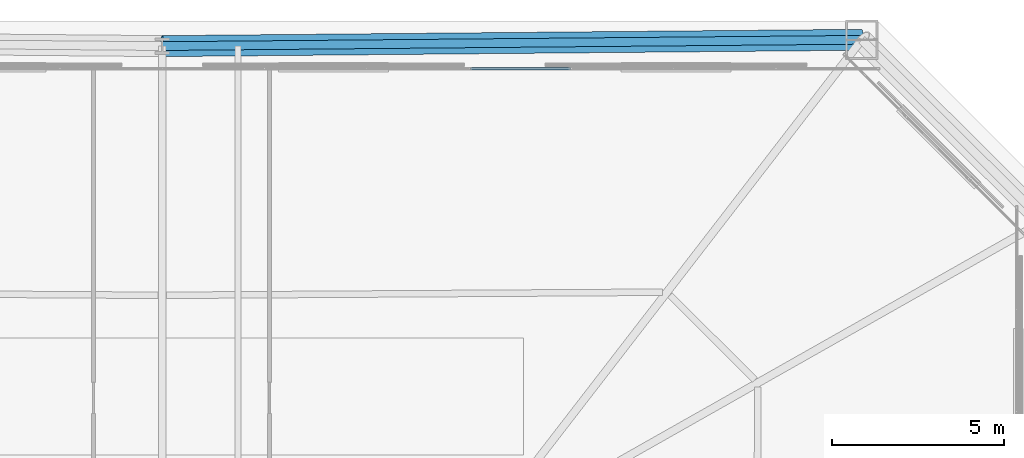
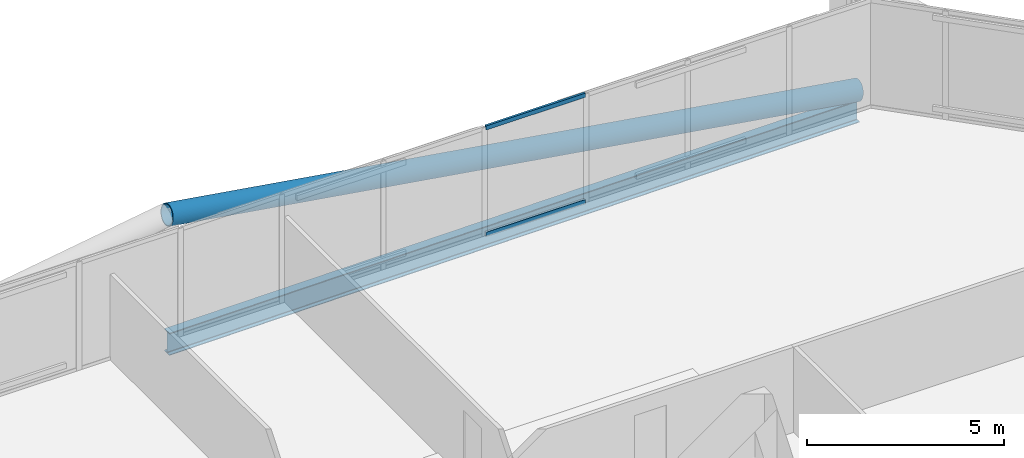
# One storey, part 39 of 50: 3 members, 1 beam, 1 element without a shape of its own.
"""IFC4 building model written with IfcOpenShell, lengths in metres."""

from ifc_helpers import new_model, si_unit, direction, frame, origin, origin_2d, place, context, subcontext, project, spatial, hollow_rectangle, hollow_circle, i_section, extrude, material, layer, layer_set, material_profile, profile_set, type_object, element, aggregate, save


model = new_model("IFC4")

# Units and contexts
model_context = context("Model", 3, precision=1e-05, world=origin(), true_north=direction((0.0, 1.0)))
body_context = subcontext(model_context, "Body", "Model", "MODEL_VIEW")
ifc_project = project(units=[si_unit("LENGTHUNIT", "METRE"), si_unit("AREAUNIT", "SQUARE_METRE"), si_unit("VOLUMEUNIT", "CUBIC_METRE"), si_unit("PLANEANGLEUNIT", "RADIAN"), si_unit("MASSUNIT", "GRAM", prefix="KILO")], contexts=[model_context])

# Site, building, storey
site_placement = place(None, origin())
site = spatial("IfcSite", under=ifc_project, at=site_placement, CompositionType="ELEMENT")
building_placement = place(site_placement, origin())
building = spatial("IfcBuilding", under=site, at=building_placement, Name="Caelvoria Tower", CompositionType="ELEMENT")
storey_placement = place(building_placement, frame((0.0, 0.0, 71.199951171875)))
storey = spatial("IfcBuildingStorey", under=building, at=storey_placement, Name="L18", CompositionType="ELEMENT", Elevation=71.199951171875)

# Curtain wall, members
ifc_material_1 = material(Name="Anodised Bronze Aluminium and Low-E Glass", Category="aluminium")
ifc_layer = layer(ifc_material_1, 0.18505859375, Name="Anodised Bronze Aluminium and Low-E Glass")
ifc_layer_set = layer_set([ifc_layer], Name="CW System 2 Lower Tower Bronze Unitised Facade - Anodised Bronze Aluminium and Low-E Glass")
curtain_wall_type = type_object("IfcCurtainWallType", Name="CW System 2 Lower Tower Bronze Unitised Facade", PredefinedType="NOTDEFINED", material=ifc_layer_set)
curtain_wall_placement = place(storey_placement, origin())
curtain_wall = element("IfcCurtainWall", 1, at=curtain_wall_placement, inside=storey, type_object=curtain_wall_type, Name="CW-02 Curtain Wall L18-E4", PredefinedType="NOTDEFINED")
ifc_material_2 = material(Name="Anodised Bronze Architectural Aluminium", Category="aluminium")
ifc_material_profile_1 = material_profile(ifc_material_2, hollow_rectangle(XDim=0.06494140625, YDim=0.1298828125, WallThickness=0.00341796875, at=origin_2d()), Name="Anodised Bronze Architectural Aluminium")
ifc_profile_set_1 = profile_set([ifc_material_profile_1], Name="CW_TRAN_65X130 - Anodised Bronze Architectural Aluminium")
member_type_1 = type_object("IfcMemberType", Name="Curtain Wall Transom 65x130 Bronze Aluminium", PredefinedType="USERDEFINED", material=ifc_profile_set_1)
member_1_placement = place(storey_placement, frame((57.853271484375, 53.820068359375, 0.032470703125), z_axis=(-1.0, 0.0, 0.0), x_axis=(0.0, -1.0, 0.0)))
member_1 = element("IfcMember", 2, at=member_1_placement, type_object=member_type_1, Name="CW-02 transom 4.1", ObjectType="TRANSOM", PredefinedType="USERDEFINED", context=body_context, shape_type="SweptSolid", body=[
    extrude(hollow_rectangle(XDim=0.06494140625, YDim=0.1298828125, WallThickness=0.00341796875, at=origin_2d()), origin(), (0.0, 0.0, 1.0), 2.906494140625),
])
member_2_placement = place(storey_placement, frame((57.853271484375, 53.820068359375, 3.32763671875), z_axis=(-1.0, 0.0, 0.0), x_axis=(0.0, -1.0, 0.0)))
member_2 = element("IfcMember", 3, at=member_2_placement, type_object=member_type_1, Name="CW-02 transom 4.2", ObjectType="TRANSOM", PredefinedType="USERDEFINED", context=body_context, shape_type="SweptSolid", body=[
    extrude(hollow_rectangle(XDim=0.06494140625, YDim=0.1298828125, WallThickness=0.00341796875, at=origin_2d()), origin(), (0.0, 0.0, 1.0), 2.906494140625),
])
aggregate(curtain_wall, [member_1, member_2])

# Member
ifc_material_3 = material(Name="Structural Steel ASTM A572 Gr.50", Category="steel")
ifc_material_profile_2 = material_profile(ifc_material_3, hollow_circle(Radius=0.304931640625, WallThickness=0.02490234375, at=origin_2d()), Name="Structural Steel ASTM A572 Gr.50")
ifc_profile_set_2 = profile_set([ifc_material_profile_2], Name="CHS610X25 - Structural Steel ASTM A572 Gr.50")
member_type_2 = type_object("IfcMemberType", Name="Lower Perimeter Mega Brace CHS610X25", PredefinedType="BRACE", material=ifc_profile_set_2)
member_3_placement = place(storey_placement, frame((66.3193359375, 54.663818359375, 0.0), z_axis=(-0.986562079401, -0.008925857233, 0.16314285936), x_axis=(0.009047065688, -0.999959074464, 0.0)))
element("IfcMember", 4, at=member_3_placement, inside=storey, type_object=member_type_2, Name="Perimeter Cardinal Mega Brace L18 NA", PredefinedType="BRACE", context=body_context, shape_type="SweptSolid", body=[
    extrude(hollow_circle(Radius=0.304931640625, WallThickness=0.02490234375, at=origin_2d()), origin(), (0.0, 0.0, 1.0), 20.59619140625),
])

# Beam
ifc_material_4 = material(Name="Structural Steel ASTM A992 Gr.50", Category="steel")
ifc_material_profile_3 = material_profile(ifc_material_4, i_section(OverallWidth=0.25390625, OverallDepth=0.68798828125, WebThickness=0.01318359375, FlangeThickness=0.02099609375, FilletRadius=0.01904296875, at=origin_2d()), Name="Structural Steel ASTM A992 Gr.50")
ifc_profile_set_3 = profile_set([ifc_material_profile_3], Name="W690X152 - Structural Steel ASTM A992 Gr.50")
beam_type = type_object("IfcBeamType", Name="Perimeter Spandrel Girder W690X152", PredefinedType="BEAM", material=ifc_profile_set_3)
beam_placement = place(storey_placement, frame((66.3193359375, 54.663818359375, -0.583984375), z_axis=(-0.999959074464, -0.009047065688, 0.0), x_axis=(0.009047065688, -0.999959074464, 0.0)))
element("IfcBeam", 5, at=beam_placement, inside=storey, type_object=beam_type, Name="Perimeter Spandrel Girder L18-06", PredefinedType="BEAM", context=body_context, shape_type="SweptSolid", body=[
    extrude(i_section(OverallWidth=0.25390625, OverallDepth=0.68798828125, WebThickness=0.01318359375, FlangeThickness=0.02099609375, FilletRadius=0.01904296875, at=origin_2d()), origin(), (0.0, 0.0, 1.0), 20.320068359375),
])

save(model, "model.ifc")
